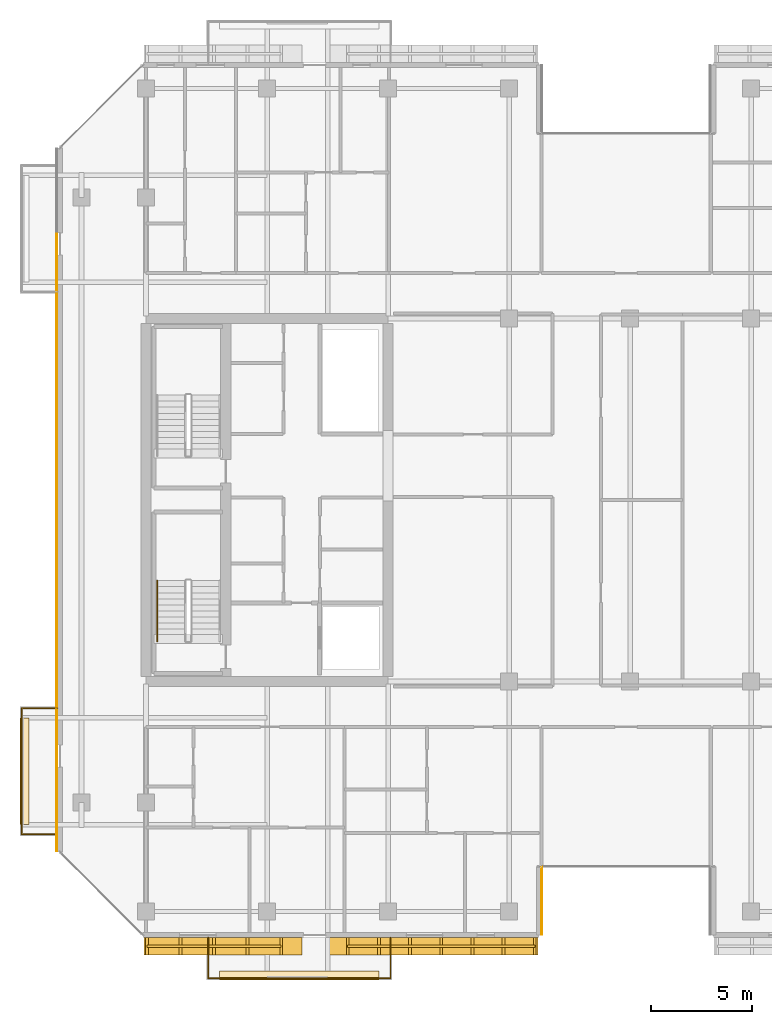
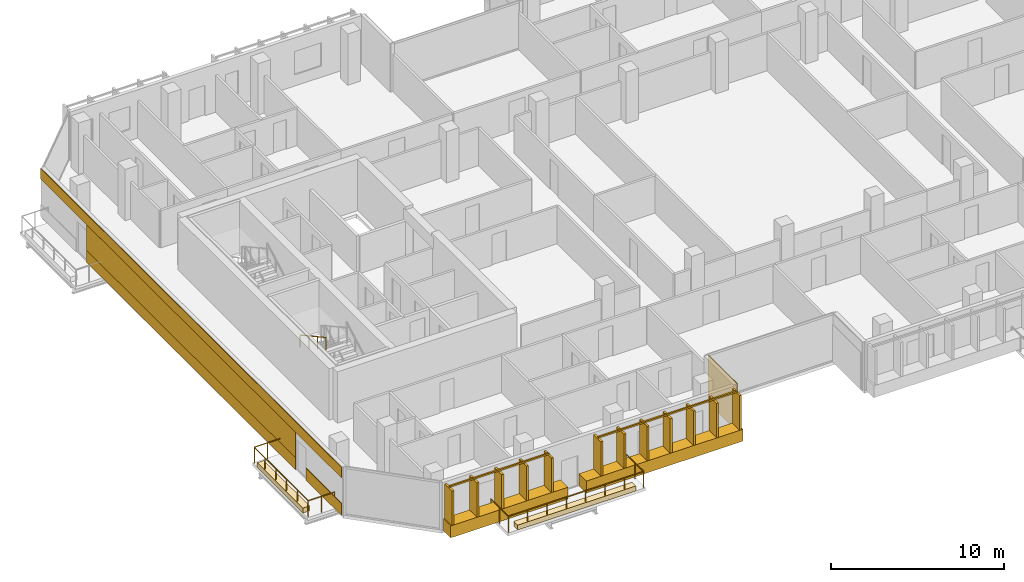
# One storey, part 26 of 30: 9 coverings, 5 railings.
"""IFC4 building model written with IfcOpenShell, lengths in metres."""

from ifc_helpers import new_model, si_unit, direction, frame, origin, origin_2d, place, context, subcontext, project, spatial, polyline, rectangle, outline, extrude, material, layer, layer_set, type_object, element, save


model = new_model("IFC4")

# Units and contexts
model_context = context("Model", 3, precision=1e-05, world=origin(), true_north=direction((0.0, 1.0)))
body_context = subcontext(model_context, "Body", "Model", "MODEL_VIEW")
ifc_project = project(units=[si_unit("LENGTHUNIT", "METRE"), si_unit("AREAUNIT", "SQUARE_METRE"), si_unit("VOLUMEUNIT", "CUBIC_METRE"), si_unit("PLANEANGLEUNIT", "RADIAN"), si_unit("MASSUNIT", "GRAM", prefix="KILO")], contexts=[model_context])

# Site, building, storey
site_placement = place(None, origin())
site = spatial("IfcSite", under=ifc_project, at=site_placement, CompositionType="ELEMENT")
building_placement = place(site_placement, origin())
building = spatial("IfcBuilding", under=site, at=building_placement, Name="Tanjung Sevakor Pilgrim Tower", CompositionType="ELEMENT")
storey_placement = place(building_placement, frame((0.0, 0.0, 165.659912109375)))
storey = spatial("IfcBuildingStorey", under=building, at=storey_placement, Name="L46", CompositionType="ELEMENT", Elevation=165.659912109375)

# Coverings
ifc_material_1 = material(Name="Reconstructed Limestone Cladding", Category="masonry")
ifc_layer_1 = layer(ifc_material_1, 0.044921875)
ifc_layer_set_1 = layer_set([ifc_layer_1], Name="COV-CLAD-LIMESTONE")
covering_type_1 = type_object("IfcCoveringType", Name="COV-CLAD-LIMESTONE", PredefinedType="CLADDING", material=ifc_layer_set_1)
covering_1_placement = place(storey_placement, frame((27.81591796875, 11.469970703125, 0.01025390625), z_axis=(0.0, 0.0, 1.0), x_axis=(1.0, 0.0, 0.0)))
element("IfcCovering", 1, at=covering_1_placement, inside=storey, type_object=covering_type_1, Name="L46 Warm Limestone Sill Spandrel EW-L46-MAIN-1-1", PredefinedType="CLADDING", context=body_context, shape_type="SweptSolid", body=[
    extrude(rectangle(XDim=7.84814453125, YDim=0.860107421875, at=origin_2d()), origin(), (0.0, 0.0, 1.0), 0.840087890625),
])
covering_2_placement = place(storey_placement, frame((38.197509765625, 11.469970703125, 0.01025390625), z_axis=(0.0, 0.0, 1.0), x_axis=(1.0, 0.0, 0.0)))
element("IfcCovering", 2, at=covering_2_placement, inside=storey, type_object=covering_type_1, Name="L46 Warm Limestone Sill Spandrel EW-L46-MAIN-1-2", PredefinedType="CLADDING", context=body_context, shape_type="SweptSolid", body=[
    extrude(rectangle(XDim=10.47509765625, YDim=0.860107421875, at=origin_2d()), origin(), (0.0, 0.0, 1.0), 0.840087890625),
])
covering_3_placement = place(storey_placement, frame((43.62255859375, 13.72509765625, 0.02001953125), z_axis=(0.0, 0.0, 1.0), x_axis=(0.0, 1.0, 0.0)))
element("IfcCovering", 3, at=covering_3_placement, inside=storey, type_object=covering_type_1, Name="L46 Warm Limestone Wall Cladding EW-L46-MAIN-2", PredefinedType="CLADDING", context=body_context, shape_type="SweptSolid", body=[
    extrude(rectangle(XDim=3.360107421875, YDim=0.044921875, at=origin_2d()), origin(), (0.0, 0.0, 1.0), 3.3701171875),
])
covering_4_placement = place(storey_placement, frame((19.577392578125, 33.60009765625, 0.01025390625), z_axis=(0.0, 0.0, 1.0), x_axis=(0.0, -1.0, 0.0)))
element("IfcCovering", 4, at=covering_4_placement, inside=storey, type_object=covering_type_1, Name="L46 Warm Limestone Sill Spandrel EW-L46-MAIN-15-2", PredefinedType="CLADDING", context=body_context, shape_type="SweptSolid", body=[
    extrude(rectangle(XDim=24.179931640625, YDim=0.044921875, at=origin_2d()), origin(), (0.0, 0.0, 1.0), 0.840087890625),
])
covering_5_placement = place(storey_placement, frame((19.577392578125, 18.240966796875, 0.01025390625), z_axis=(0.0, 0.0, 1.0), x_axis=(0.0, -1.0, 0.0)))
element("IfcCovering", 5, at=covering_5_placement, inside=storey, type_object=covering_type_1, Name="L46 Warm Limestone Sill Spandrel EW-L46-MAIN-15-3", PredefinedType="CLADDING", context=body_context, shape_type="SweptSolid", body=[
    extrude(rectangle(XDim=4.09814453125, YDim=0.044921875, at=origin_2d()), origin(), (0.0, 0.0, 1.0), 0.840087890625),
])
covering_6_placement = place(storey_placement, frame((19.577392578125, 33.60009765625, 2.66015625), z_axis=(0.0, 0.0, 1.0), x_axis=(0.0, -1.0, 0.0)))
element("IfcCovering", 6, at=covering_6_placement, inside=storey, type_object=covering_type_1, Name="L46 Warm Limestone Cornice Spandrel EW-L46-MAIN-15", PredefinedType="CLADDING", context=body_context, shape_type="SweptSolid", body=[
    extrude(rectangle(XDim=34.8564453125, YDim=0.044921875, at=origin_2d()), origin(), (0.0, 0.0, 1.0), 0.739990234375),
])
covering_7_placement = place(storey_placement, frame((19.577392578125, 33.60009765625, 0.85009765625), z_axis=(0.0, 0.0, 1.0), x_axis=(0.0, -1.0, 0.0)))
element("IfcCovering", 7, at=covering_7_placement, inside=storey, type_object=covering_type_1, Name="L46 Warm Limestone Pier Panel EW-L46-MAIN-15-1", PredefinedType="CLADDING", context=body_context, shape_type="SweptSolid", body=[
    extrude(rectangle(XDim=24.199951171875, YDim=0.044921875, at=origin_2d()), origin(), (0.0, 0.0, 1.0), 1.81005859375),
])
ifc_material_2 = material(Name="Vegetated Modular Planter Assembly", Category="organic")
ifc_layer_2 = layer(ifc_material_2, 0.35009765625)
ifc_layer_set_2 = layer_set([ifc_layer_2], Name="COV-GRN-TROUGH")
covering_type_2 = type_object("IfcCoveringType", Name="COV-GRN-TROUGH", PredefinedType="CLADDING", material=ifc_layer_set_2)
covering_8_placement = place(storey_placement, origin())
element("IfcCovering", 8, at=covering_8_placement, inside=storey, type_object=covering_type_2, Name="L46 Planted Landscape Hedge Trough BGRN-L46-MAIN-S1", PredefinedType="CLADDING", context=body_context, shape_type="SweptSolid", body=[
    extrude(outline(polyline([(27.64990234375, 9.800048828125), (35.550048828125, 9.800048828125), (35.550048828125, 10.239990234375), (27.64990234375, 10.239990234375), (27.64990234375, 9.800048828125)])), origin(), (0.0, 0.0, 1.0), 0.35009765625),
])
covering_9_placement = place(storey_placement, origin())
element("IfcCovering", 9, at=covering_9_placement, inside=storey, type_object=covering_type_2, Name="L46 Planted Landscape Hedge Trough BGRN-L46-MAIN-W1", PredefinedType="CLADDING", context=body_context, shape_type="SweptSolid", body=[
    extrude(outline(polyline([(18.18994140625, 17.5), (18.18994140625, 22.800048828125), (17.75, 22.800048828125), (17.75, 17.5), (18.18994140625, 17.5)])), origin(), (0.0, 0.0, 1.0), 0.35009765625),
])

# Railings
ifc_material_3 = material(Name="Laminated Glass and Aluminium", Category="aluminium")
railing_type_1 = type_object("IfcRailingType", Name="RL-BAL-BALUST", PredefinedType="BALUSTRADE", material=ifc_material_3)
railing_1_placement = place(storey_placement, frame((27.080078125, 11.89990234375, 0.0)))
element("IfcRailing", 10, at=railing_1_placement, inside=storey, type_object=railing_type_1, Name="L46 Loggia Balustrade MAIN-S1", PredefinedType="BALUSTRADE", context=body_context, shape_type="SweptSolid", body=[
    extrude(rectangle(XDim=0.0479, YDim=0.0479), frame((0.0, 0.0, 1.1259765625), z_axis=(0.0, -1.0, 0.0), x_axis=(1.0, 0.0, 0.0)), (0.0, 0.0, 1.0), 2.02001953125),
    extrude(rectangle(XDim=0.0479, YDim=0.0479), frame((0.0, -2.02001953125, 1.1259765625), z_axis=(1.0, 0.0, 0.0), x_axis=(0.0, 1.0, 0.0)), (0.0, 0.0, 1.0), 9.0400390625),
    extrude(rectangle(XDim=0.0479, YDim=0.0479), frame((9.0400390625, -2.02001953125, 1.1259765625), z_axis=(0.0, 1.0, 0.0), x_axis=(-1.0, 0.0, 0.0)), (0.0, 0.0, 1.0), 2.02001953125),
    extrude(rectangle(XDim=0.042, YDim=0.042), origin(), (0.0, 0.0, 1.0), 1.101806640625),
    extrude(rectangle(XDim=0.042, YDim=0.042), frame((0.0, -1.010009765625, 0.0)), (0.0, 0.0, 1.0), 1.101806640625),
    extrude(rectangle(XDim=0.042, YDim=0.042), frame((0.0, -2.02001953125, 0.0)), (0.0, 0.0, 1.0), 1.101806640625),
    extrude(rectangle(XDim=0.042, YDim=0.042), frame((1.29150390625, -2.02001953125, 0.0)), (0.0, 0.0, 1.0), 1.101806640625),
    extrude(rectangle(XDim=0.042, YDim=0.042), frame((2.582763671875, -2.02001953125, 0.0)), (0.0, 0.0, 1.0), 1.101806640625),
    extrude(rectangle(XDim=0.042, YDim=0.042), frame((3.874267578125, -2.02001953125, 0.0)), (0.0, 0.0, 1.0), 1.101806640625),
    extrude(rectangle(XDim=0.042, YDim=0.042), frame((5.165771484375, -2.02001953125, 0.0)), (0.0, 0.0, 1.0), 1.101806640625),
    extrude(rectangle(XDim=0.042, YDim=0.042), frame((6.457275390625, -2.02001953125, 0.0)), (0.0, 0.0, 1.0), 1.101806640625),
    extrude(rectangle(XDim=0.042, YDim=0.042), frame((7.74853515625, -2.02001953125, 0.0)), (0.0, 0.0, 1.0), 1.101806640625),
    extrude(rectangle(XDim=0.042, YDim=0.042), frame((9.0400390625, -2.02001953125, 0.0)), (0.0, 0.0, 1.0), 1.101806640625),
    extrude(rectangle(XDim=0.042, YDim=0.042), frame((9.0400390625, -1.010009765625, 0.0)), (0.0, 0.0, 1.0), 1.101806640625),
    extrude(rectangle(XDim=0.042, YDim=0.042), frame((9.0400390625, 0.0, 0.0)), (0.0, 0.0, 1.0), 1.101806640625),
])
railing_2_placement = place(storey_placement, frame((19.60009765625, 17.030029296875, 0.0)))
element("IfcRailing", 11, at=railing_2_placement, inside=storey, type_object=railing_type_1, Name="L46 Loggia Balustrade MAIN-W1", PredefinedType="BALUSTRADE", context=body_context, shape_type="SweptSolid", body=[
    extrude(rectangle(XDim=0.0479, YDim=0.0479), frame((0.0, 0.0, 1.1259765625), z_axis=(-1.0, 0.0, 0.0), x_axis=(0.0, -1.0, 0.0)), (0.0, 0.0, 1.0), 1.77001953125),
    extrude(rectangle(XDim=0.0479, YDim=0.0479), frame((-1.77001953125, 0.0, 1.1259765625), z_axis=(0.0, 1.0, 0.0), x_axis=(-1.0, 0.0, 0.0)), (0.0, 0.0, 1.0), 6.239990234375),
    extrude(rectangle(XDim=0.0479, YDim=0.0479), frame((-1.77001953125, 6.239990234375, 1.1259765625), z_axis=(1.0, 0.0, 0.0), x_axis=(0.0, 1.0, 0.0)), (0.0, 0.0, 1.0), 1.77001953125),
    extrude(rectangle(XDim=0.042, YDim=0.042), origin(), (0.0, 0.0, 1.0), 1.101806640625),
    extrude(rectangle(XDim=0.042, YDim=0.042), frame((-0.885009765625, 0.0, 0.0)), (0.0, 0.0, 1.0), 1.101806640625),
    extrude(rectangle(XDim=0.042, YDim=0.042), frame((-1.77001953125, 0.0, 0.0)), (0.0, 0.0, 1.0), 1.101806640625),
    extrude(rectangle(XDim=0.042, YDim=0.042), frame((-1.77001953125, 1.248046875, 0.0)), (0.0, 0.0, 1.0), 1.101806640625),
    extrude(rectangle(XDim=0.042, YDim=0.042), frame((-1.77001953125, 2.49609375, 0.0)), (0.0, 0.0, 1.0), 1.101806640625),
    extrude(rectangle(XDim=0.042, YDim=0.042), frame((-1.77001953125, 3.743896484375, 0.0)), (0.0, 0.0, 1.0), 1.101806640625),
    extrude(rectangle(XDim=0.042, YDim=0.042), frame((-1.77001953125, 4.991943359375, 0.0)), (0.0, 0.0, 1.0), 1.101806640625),
    extrude(rectangle(XDim=0.042, YDim=0.042), frame((-1.77001953125, 6.239990234375, 0.0)), (0.0, 0.0, 1.0), 1.101806640625),
    extrude(rectangle(XDim=0.042, YDim=0.042), frame((-0.885009765625, 6.239990234375, 0.0)), (0.0, 0.0, 1.0), 1.101806640625),
    extrude(rectangle(XDim=0.042, YDim=0.042), frame((0.0, 6.239990234375, 0.0)), (0.0, 0.0, 1.0), 1.101806640625),
])
ifc_material_4 = material(Name="Anodised Bronze Aluminium 6063-T6", Category="aluminium")
railing_type_2 = type_object("IfcRailingType", Name="RL-FIN-SCREEN", PredefinedType="BALUSTRADE", material=ifc_material_4)
railing_3_placement = place(storey_placement, frame((24.0517578125, 11.47509765625, 0.840087890625)))
element("IfcRailing", 12, at=railing_3_placement, inside=storey, type_object=railing_type_2, Name="L46 Vertical Bronze-Gold Solar Fin Screen FNSCR-EW-L46-MAIN-1-1", PredefinedType="BALUSTRADE", context=body_context, shape_type="SweptSolid", body=[
    extrude(rectangle(XDim=0.105, YDim=0.105), frame((0.0, 0.0, 2.487548828125), z_axis=(1.0, 0.0, 0.0), x_axis=(0.0, 1.0, 0.0)), (0.0, 0.0, 1.0), 6.648193359375),
    extrude(rectangle(XDim=0.14, YDim=0.85), origin(), (0.0, 0.0, 1.0), 2.43505859375),
    extrude(rectangle(XDim=0.14, YDim=0.85), frame((1.662109375, 0.0, 0.0)), (0.0, 0.0, 1.0), 2.43505859375),
    extrude(rectangle(XDim=0.14, YDim=0.85), frame((3.32421875, 0.0, 0.0)), (0.0, 0.0, 1.0), 2.43505859375),
    extrude(rectangle(XDim=0.14, YDim=0.85), frame((4.986083984375, 0.0, 0.0)), (0.0, 0.0, 1.0), 2.43505859375),
    extrude(rectangle(XDim=0.14, YDim=0.85), frame((6.648193359375, 0.0, 0.0)), (0.0, 0.0, 1.0), 2.43505859375),
])
railing_4_placement = place(storey_placement, frame((34.0, 11.47509765625, 0.840087890625)))
element("IfcRailing", 13, at=railing_4_placement, inside=storey, type_object=railing_type_2, Name="L46 Vertical Bronze-Gold Solar Fin Screen FNSCR-EW-L46-MAIN-1-2", PredefinedType="BALUSTRADE", context=body_context, shape_type="SweptSolid", body=[
    extrude(rectangle(XDim=0.105, YDim=0.105), frame((0.0, 0.0, 2.487548828125), z_axis=(1.0, 0.0, 0.0), x_axis=(0.0, 1.0, 0.0)), (0.0, 0.0, 1.0), 9.27490234375),
    extrude(rectangle(XDim=0.14, YDim=0.85), origin(), (0.0, 0.0, 1.0), 2.43505859375),
    extrude(rectangle(XDim=0.14, YDim=0.85), frame((1.5458984375, 0.0, 0.0)), (0.0, 0.0, 1.0), 2.43505859375),
    extrude(rectangle(XDim=0.14, YDim=0.85), frame((3.091552734375, 0.0, 0.0)), (0.0, 0.0, 1.0), 2.43505859375),
    extrude(rectangle(XDim=0.14, YDim=0.85), frame((4.637451171875, 0.0, 0.0)), (0.0, 0.0, 1.0), 2.43505859375),
    extrude(rectangle(XDim=0.14, YDim=0.85), frame((6.183349609375, 0.0, 0.0)), (0.0, 0.0, 1.0), 2.43505859375),
    extrude(rectangle(XDim=0.14, YDim=0.85), frame((7.72900390625, 0.0, 0.0)), (0.0, 0.0, 1.0), 2.43505859375),
    extrude(rectangle(XDim=0.14, YDim=0.85), frame((9.27490234375, 0.0, 0.0)), (0.0, 0.0, 1.0), 2.43505859375),
])
ifc_material_5 = material(Name="Steel S355J2", Category="steel")
railing_type_3 = type_object("IfcRailingType", Name="RL-STAIR-HAND", PredefinedType="HANDRAIL", material=ifc_material_5)
railing_5_placement = place(storey_placement, frame((24.550048828125, 29.60009765625, 1.97998046875)))
element("IfcRailing", 14, at=railing_5_placement, inside=storey, type_object=railing_type_3, Name="L46 TS-W1 stair handrail 2", PredefinedType="HANDRAIL", context=body_context, shape_type="SweptSolid", body=[
    extrude(rectangle(XDim=0.0479, YDim=0.0479), frame((0.0, 0.0, 0.8759765625), z_axis=(0.0, -0.876197842262, 0.481951596342), x_axis=(1.0, 0.0, 0.0)), (0.0, 0.0, 1.0), 3.423828125),
    extrude(rectangle(XDim=0.042, YDim=0.042), origin(), (0.0, 0.0, 1.0), 0.851806640625),
    extrude(rectangle(XDim=0.042, YDim=0.042), frame((0.0, -1.0, 0.550048828125)), (0.0, 0.0, 1.0), 0.851806640625),
    extrude(rectangle(XDim=0.042, YDim=0.042), frame((0.0, -2.0, 1.10009765625)), (0.0, 0.0, 1.0), 0.851806640625),
    extrude(rectangle(XDim=0.042, YDim=0.042), frame((0.0, -3.0, 1.650146484375)), (0.0, 0.0, 1.0), 0.851806640625),
])

save(model, "model.ifc")
